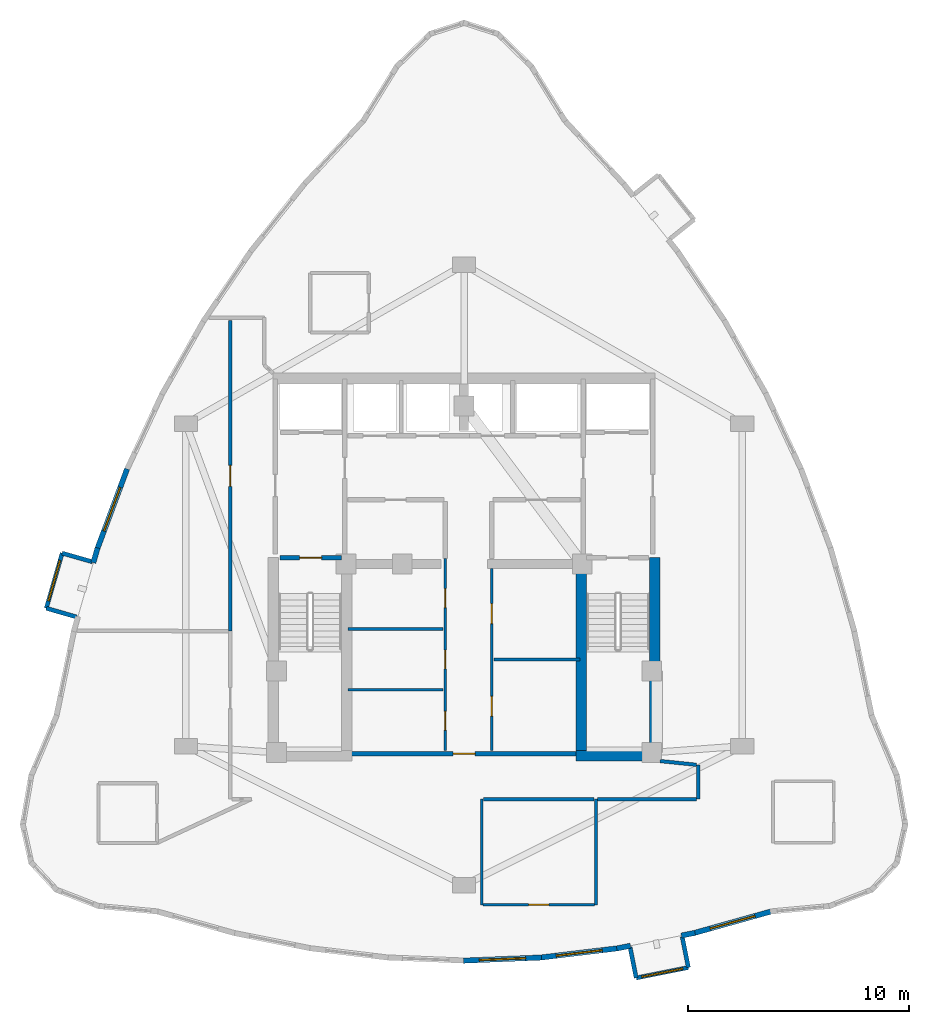
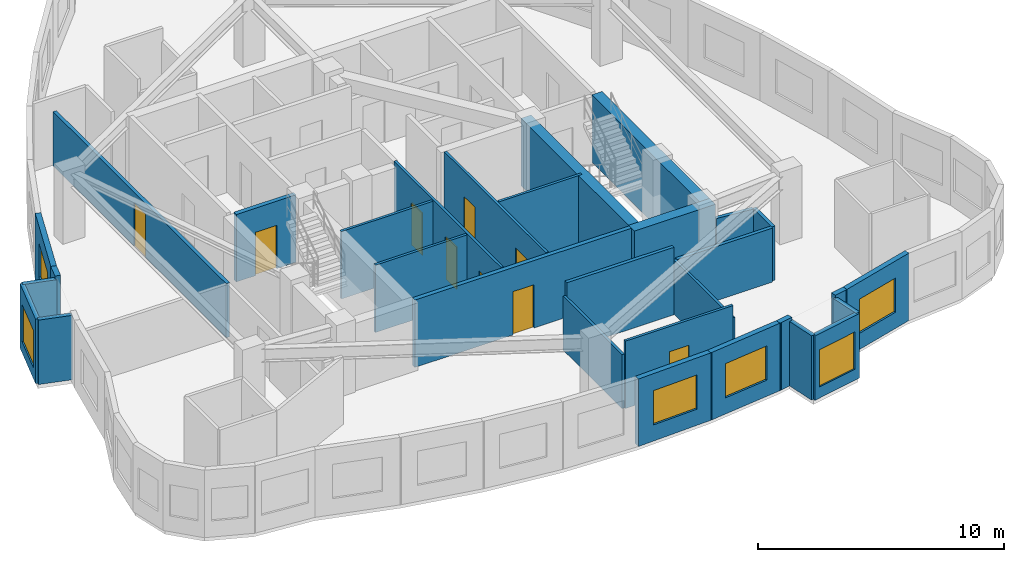
# One storey, part 6 of 10: 31 walls, 9 doors, 6 windows, 15 openings.
"""IFC4 building model written with IfcOpenShell, lengths in metres."""

from ifc_helpers import new_model, si_unit, direction, frame, frame_2d, origin, place, context, subcontext, project, spatial, rectangle, extrude, material, layer, layer_set, type_object, element, fill, save


model = new_model("IFC4")

# Units and contexts
model_context = context("Model", 3, precision=1e-05, world=origin(), true_north=direction((0.0, 1.0)))
body_context = subcontext(model_context, "Body", "Model", "MODEL_VIEW")
ifc_project = project(units=[si_unit("LENGTHUNIT", "METRE"), si_unit("AREAUNIT", "SQUARE_METRE"), si_unit("VOLUMEUNIT", "CUBIC_METRE"), si_unit("PLANEANGLEUNIT", "RADIAN"), si_unit("MASSUNIT", "GRAM", prefix="KILO")], contexts=[model_context])

# Site, building, storey
site_placement = place(None, origin())
site = spatial("IfcSite", under=ifc_project, at=site_placement, CompositionType="ELEMENT")
building_placement = place(site_placement, origin())
building = spatial("IfcBuilding", under=site, at=building_placement, Name="Miruveldt Soraemaru", CompositionType="ELEMENT")
storey_placement = place(building_placement, frame((0.0, 0.0, 226.800048828125)))
storey = spatial("IfcBuildingStorey", under=building, at=storey_placement, Name="L62", CompositionType="ELEMENT", Elevation=226.800048828125)

# Walls
ifc_material_1 = material(Name="White powder-coated aluminium EN AW-6060 T6", Category="aluminium")
ifc_layer_1 = layer(ifc_material_1, 0.18994140625, Name="White powder-coated aluminium EN AW-6060 T6", Category="aluminium")
ifc_layer_set_1 = layer_set([ifc_layer_1], Name="White powder-coated aluminium EN AW-6060 T6")
wall_type_1 = type_object("IfcWallType", Name="WALL-BAY-ALU190", PredefinedType="SOLIDWALL", material=ifc_layer_set_1)
wall_1_placement = place(storey_placement, frame((27.161865234375, 44.146728515625, 0.0), z_axis=(0.0, 0.0, 1.0), x_axis=(-0.961439844578, 0.275015318223, 0.0)))
element("IfcWall", 1, at=wall_1_placement, inside=storey, type_object=wall_type_1, Name="L62 Bay Window Side Cheek 1L", PredefinedType="SOLIDWALL", context=body_context, shape_type="SweptSolid", body=[
    extrude(rectangle(XDim=1.4248046875, YDim=0.18994140625, at=frame_2d((0.71240234375, 0.0))), origin(), (0.0, 0.0, 1.0), 3.195068359375),
])
wall_2_placement = place(storey_placement, frame((25.076904296875, 42.038818359375, 0.0), z_axis=(0.0, 0.0, 1.0), x_axis=(0.961452801096, -0.274970018845, 0.0)))
element("IfcWall", 2, at=wall_2_placement, inside=storey, type_object=wall_type_1, Name="L62 Bay Window Side Cheek 1R", PredefinedType="SOLIDWALL", context=body_context, shape_type="SweptSolid", body=[
    extrude(rectangle(XDim=1.425048828125, YDim=0.18994140625, at=frame_2d((0.71240234375, 0.0))), origin(), (0.0, 0.0, 1.0), 3.195068359375),
])

# Wall, opening, window
wall_3_placement = place(storey_placement, frame((25.7919921875, 44.53857421875, 0.0), z_axis=(0.0, 0.0, 1.0), x_axis=(-0.275031158597, -0.961435313373, 0.0)))
wall_3 = element("IfcWall", 3, at=wall_3_placement, inside=storey, type_object=wall_type_1, Name="L62 Bay Window Front Frame 1", PredefinedType="SOLIDWALL", context=body_context, shape_type="SweptSolid", body=[
    extrude(rectangle(XDim=2.60009765625, YDim=0.18994140625, at=frame_2d((1.300048828125, 0.0))), origin(), (0.0, 0.0, 1.0), 3.195068359375),
])
opening_1_placement = place(wall_3_placement, frame((0.35009765625, 0.0, 0.550048828125)))
opening_1 = element("IfcOpeningElement", 4, at=opening_1_placement, cuts=wall_3, Name="Opening WN-6", PredefinedType="OPENING", context=body_context, shape_type="SweptSolid", body=[
    extrude(rectangle(XDim=1.89990234375, YDim=1.85009765625, at=frame_2d((0.949951171875, 0.925048828125))), frame((0.0, 0.10498046875, 0.0), z_axis=(0.0, -1.0, 0.0), x_axis=(1.0, 0.0, 0.0)), (0.0, 0.0, 1.0), 0.2099609375),
])
ifc_material_2 = material(Name="Triple low-e insulated glazing", Category="glass")
window_type_1 = type_object("IfcWindowType", Name="WIN-BAYW-1900x1850", PartitioningType="SINGLE_PANEL", PredefinedType="WINDOW", material=ifc_material_2)
window_1_placement = place(opening_1_placement, origin())
window_1 = element("IfcWindow", 5, at=window_1_placement, inside=storey, type_object=window_type_1, Name="L62 Projecting Bay Window 1", OverallHeight=1.85009765625, OverallWidth=1.89990234375, PartitioningType="SINGLE_PANEL", PredefinedType="WINDOW", context=body_context, shape_type="SweptSolid", body=[
    extrude(rectangle(XDim=1.89990234375, YDim=1.85009765625, at=frame_2d((0.949951171875, 0.925048828125))), frame((0.0, 0.030029296875, 0.0), z_axis=(0.0, -1.0, 0.0), x_axis=(1.0, 0.0, 0.0)), (0.0, 0.0, 1.0), 0.06005859375),
])
fill(opening_1, window_1)

# Walls
for number, where, z_axis, x_axis, name in (
    (6, (51.5166015625, 26.693359375, 0.0), (0.0, 0.0, 1.0), (0.196149079112, -0.980574086321, 0.0), "L62 Bay Window Side Cheek 2L"),
    (7, (54.159423828125, 25.7685546875, 0.0), (0.0, 0.0, 1.0), (-0.196149079112, 0.980574086321, 0.0), "L62 Bay Window Side Cheek 2R"),
):
    element("IfcWall", number, at=place(storey_placement, frame(where, z_axis=z_axis, x_axis=x_axis)), inside=storey, type_object=wall_type_1, Name=name, PredefinedType="SOLIDWALL", context=body_context, shape_type="SweptSolid", body=[
        extrude(rectangle(XDim=1.425048828125, YDim=0.18994140625, at=frame_2d((0.71240234375, 0.0))), origin(), (0.0, 0.0, 1.0), 3.195068359375),
    ])

# Wall, opening, window
wall_4_placement = place(storey_placement, frame((51.796142578125, 25.2958984375, 0.0), z_axis=(0.0, 0.0, 1.0), x_axis=(0.980580675691, 0.196116135138, 0.0)))
wall_4 = element("IfcWall", 8, at=wall_4_placement, inside=storey, type_object=wall_type_1, Name="L62 Bay Window Front Frame 2", PredefinedType="SOLIDWALL", context=body_context, shape_type="SweptSolid", body=[
    extrude(rectangle(XDim=2.41015625, YDim=0.18994140625, at=frame_2d((1.205078125, 0.0))), origin(), (0.0, 0.0, 1.0), 3.195068359375),
])
opening_2_placement = place(wall_4_placement, frame((0.2548828125, 0.0, 0.550048828125)))
opening_2 = element("IfcOpeningElement", 9, at=opening_2_placement, cuts=wall_4, Name="Opening WN-6", PredefinedType="OPENING", context=body_context, shape_type="SweptSolid", body=[
    extrude(rectangle(XDim=1.89990234375, YDim=1.85009765625, at=frame_2d((0.949951171875, 0.925048828125))), frame((0.0, 0.10498046875, 0.0), z_axis=(0.0, -1.0, 0.0), x_axis=(1.0, 0.0, 0.0)), (0.0, 0.0, 1.0), 0.2099609375),
])
window_2_placement = place(opening_2_placement, origin())
window_2 = element("IfcWindow", 10, at=window_2_placement, inside=storey, type_object=window_type_1, Name="L62 Projecting Bay Window 2", OverallHeight=1.85009765625, OverallWidth=1.89990234375, PartitioningType="SINGLE_PANEL", PredefinedType="WINDOW", context=body_context, shape_type="SweptSolid", body=[
    extrude(rectangle(XDim=1.89990234375, YDim=1.85009765625, at=frame_2d((0.949951171875, 0.925048828125))), frame((0.0, 0.030029296875, 0.0), z_axis=(0.0, -1.0, 0.0), x_axis=(1.0, 0.0, 0.0)), (0.0, 0.0, 1.0), 0.06005859375),
])
fill(opening_2, window_2)

# Walls
ifc_material_3 = material(Name="Concrete C60/75 (60 MPa)", Category="concrete")
ifc_layer_2 = layer(ifc_material_3, 0.47998046875, Name="Concrete C60/75 (60 MPa)", Category="concrete")
ifc_layer_set_2 = layer_set([ifc_layer_2], Name="Concrete C60/75 (60 MPa)")
wall_type_2 = type_object("IfcWallType", Name="WALL-CW-480", PredefinedType="SHEAR", material=ifc_layer_set_2)
wall_5_placement = place(storey_placement, frame((49.070068359375, 35.360107421875, 0.0), z_axis=(0.0, 0.0, 1.0), x_axis=(1.0, 0.0, 0.0)))
element("IfcWall", 11, at=wall_5_placement, inside=storey, type_object=wall_type_2, Name="L62 Central Core Shear Wall S2", PredefinedType="SHEAR", context=body_context, shape_type="SweptSolid", body=[
    extrude(rectangle(XDim=3.809814453125, YDim=0.47998046875, at=frame_2d((1.90478515625, 0.0))), origin(), (0.0, 0.0, 1.0), 3.344970703125),
])
wall_6_placement = place(storey_placement, frame((52.639892578125, 35.1201171875, 0.0), z_axis=(0.0, 0.0, 1.0), x_axis=(0.0, 1.0, 0.0)))
element("IfcWall", 12, at=wall_6_placement, inside=storey, type_object=wall_type_2, Name="L62 Central Core Shear Wall E1", PredefinedType="SHEAR", context=body_context, shape_type="SweptSolid", body=[
    extrude(rectangle(XDim=9.22998046875, YDim=0.47998046875, at=frame_2d((4.614990234375, 0.0))), origin(), (0.0, 0.0, 1.0), 3.344970703125),
])
wall_7_placement = place(storey_placement, frame((49.31005859375, 35.39990234375, 0.0), z_axis=(0.0, 0.0, 1.0), x_axis=(0.0, 1.0, 0.0)))
element("IfcWall", 13, at=wall_7_placement, inside=storey, type_object=wall_type_2, Name="L62 Central Core Shear Wall SE-INT", PredefinedType="SHEAR", context=body_context, shape_type="SweptSolid", body=[
    extrude(rectangle(XDim=8.9501953125, YDim=0.47998046875, at=frame_2d((4.47509765625, 0.0))), origin(), (0.0, 0.0, 1.0), 3.344970703125),
])

# Wall, opening, window
ifc_material_4 = material(Name="Precast concrete C45/55 (45 MPa)", Category="concrete")
ifc_layer_3 = layer(ifc_material_4, 0.239990234375, Name="Precast concrete C45/55 (45 MPa)", Category="concrete")
ifc_layer_set_3 = layer_set([ifc_layer_3], Name="Precast concrete C45/55 (45 MPa)")
wall_type_3 = type_object("IfcWallType", Name="WALL-EXT-PC240", PredefinedType="SOLIDWALL", material=ifc_layer_set_3)
wall_8_placement = place(storey_placement, frame((28.734130859375, 48.352783203125, 0.0), z_axis=(0.0, 0.0, 1.0), x_axis=(-0.349010667613, -0.937118751222, 0.0)))
wall_8 = element("IfcWall", 14, at=wall_8_placement, inside=storey, type_object=wall_type_3, Name="L62 Precast Concrete Facade Wall 12", PredefinedType="SOLIDWALL", context=body_context, shape_type="SweptSolid", body=[
    extrude(rectangle(XDim=3.889404296875, YDim=0.239990234375, at=frame_2d((1.94482421875, 0.0))), origin(), (0.0, 0.0, 1.0), 3.344970703125),
])
opening_3_placement = place(wall_8_placement, frame((0.89501953125, 0.0, 0.800048828125)))
opening_3 = element("IfcOpeningElement", 15, at=opening_3_placement, cuts=wall_8, Name="Opening WN-1", PredefinedType="OPENING", context=body_context, shape_type="SweptSolid", body=[
    extrude(rectangle(XDim=2.10009765625, YDim=1.699951171875, at=frame_2d((1.050048828125, 0.85009765625))), frame((0.0, 0.1298828125, 0.0), z_axis=(0.0, -1.0, 0.0), x_axis=(1.0, 0.0, 0.0)), (0.0, 0.0, 1.0), 0.260009765625),
])
window_type_2 = type_object("IfcWindowType", Name="WIN-PUNCH-2100x1700", PartitioningType="SINGLE_PANEL", PredefinedType="WINDOW", material=ifc_material_2)
window_3_placement = place(opening_3_placement, origin())
window_3 = element("IfcWindow", 16, at=window_3_placement, inside=storey, type_object=window_type_2, Name="L62 Punched Triple-Glazed Window 12.1", OverallHeight=1.699951171875, OverallWidth=2.10009765625, PartitioningType="SINGLE_PANEL", PredefinedType="WINDOW", context=body_context, shape_type="SweptSolid", body=[
    extrude(rectangle(XDim=2.10009765625, YDim=1.699951171875, at=frame_2d((1.050048828125, 0.85009765625))), frame((0.0, 0.030029296875, 0.0), z_axis=(0.0, -1.0, 0.0), x_axis=(1.0, 0.0, 0.0)), (0.0, 0.0, 1.0), 0.06005859375),
])
fill(opening_3, window_3)

# Wall
wall_9_placement = place(storey_placement, frame((27.398681640625, 44.7744140625, 0.0), z_axis=(0.0, 0.0, 1.0), x_axis=(-0.275044220603, -0.961431576719, 0.0)))
element("IfcWall", 17, at=wall_9_placement, inside=storey, type_object=wall_type_3, Name="L62 Precast Pier Wall 13A", PredefinedType="SOLIDWALL", context=body_context, shape_type="SweptSolid", body=[
    extrude(rectangle(XDim=0.698486328125, YDim=0.239990234375, at=frame_2d((0.34912109375, 0.0))), origin(), (0.0, 0.0, 1.0), 3.344970703125),
])

# Wall, opening, window
wall_10_placement = place(storey_placement, frame((43.965087890625, 26.07861328125, 0.0), z_axis=(0.0, 0.0, 1.0), x_axis=(0.999200408983, 0.03998177945, 0.0)))
wall_10 = element("IfcWall", 18, at=wall_10_placement, inside=storey, type_object=wall_type_3, Name="L62 Precast Concrete Facade Wall 25", PredefinedType="SOLIDWALL", context=body_context, shape_type="SweptSolid", body=[
    extrude(rectangle(XDim=3.5478515625, YDim=0.239990234375, at=frame_2d((1.77392578125, 0.0))), origin(), (0.0, 0.0, 1.0), 3.344970703125),
])
opening_4_placement = place(wall_10_placement, frame((0.72412109375, 0.0, 0.800048828125)))
opening_4 = element("IfcOpeningElement", 19, at=opening_4_placement, cuts=wall_10, Name="Opening WN-1", PredefinedType="OPENING", context=body_context, shape_type="SweptSolid", body=[
    extrude(rectangle(XDim=2.10009765625, YDim=1.699951171875, at=frame_2d((1.050048828125, 0.85009765625))), frame((0.0, 0.1298828125, 0.0), z_axis=(0.0, -1.0, 0.0), x_axis=(1.0, 0.0, 0.0)), (0.0, 0.0, 1.0), 0.260009765625),
])
window_4_placement = place(opening_4_placement, origin())
window_4 = element("IfcWindow", 20, at=window_4_placement, inside=storey, type_object=window_type_2, Name="L62 Punched Triple-Glazed Window 25.1", OverallHeight=1.699951171875, OverallWidth=2.10009765625, PartitioningType="SINGLE_PANEL", PredefinedType="WINDOW", context=body_context, shape_type="SweptSolid", body=[
    extrude(rectangle(XDim=2.10009765625, YDim=1.699951171875, at=frame_2d((1.050048828125, 0.85009765625))), frame((0.0, 0.030029296875, 0.0), z_axis=(0.0, -1.0, 0.0), x_axis=(1.0, 0.0, 0.0)), (0.0, 0.0, 1.0), 0.06005859375),
])
fill(opening_4, window_4)

wall_11_placement = place(storey_placement, frame((47.440185546875, 26.21484375, 0.0), z_axis=(0.0, 0.0, 1.0), x_axis=(0.99287910342, 0.119126344663, 0.0)))
wall_11 = element("IfcWall", 21, at=wall_11_placement, inside=storey, type_object=wall_type_3, Name="L62 Precast Concrete Facade Wall 26", PredefinedType="SOLIDWALL", context=body_context, shape_type="SweptSolid", body=[
    extrude(rectangle(XDim=3.570068359375, YDim=0.239990234375, at=frame_2d((1.78515625, 0.0))), origin(), (0.0, 0.0, 1.0), 3.344970703125),
])
opening_5_placement = place(wall_11_placement, frame((0.735107421875, 0.0, 0.800048828125)))
opening_5 = element("IfcOpeningElement", 22, at=opening_5_placement, cuts=wall_11, Name="Opening WN-1", PredefinedType="OPENING", context=body_context, shape_type="SweptSolid", body=[
    extrude(rectangle(XDim=2.10009765625, YDim=1.699951171875, at=frame_2d((1.050048828125, 0.85009765625))), frame((0.0, 0.1298828125, 0.0), z_axis=(0.0, -1.0, 0.0), x_axis=(1.0, 0.0, 0.0)), (0.0, 0.0, 1.0), 0.260009765625),
])
window_5_placement = place(opening_5_placement, origin())
window_5 = element("IfcWindow", 23, at=window_5_placement, inside=storey, type_object=window_type_2, Name="L62 Punched Triple-Glazed Window 26.1", OverallHeight=1.699951171875, OverallWidth=2.10009765625, PartitioningType="SINGLE_PANEL", PredefinedType="WINDOW", context=body_context, shape_type="SweptSolid", body=[
    extrude(rectangle(XDim=2.10009765625, YDim=1.699951171875, at=frame_2d((1.050048828125, 0.85009765625))), frame((0.0, 0.030029296875, 0.0), z_axis=(0.0, -1.0, 0.0), x_axis=(1.0, 0.0, 0.0)), (0.0, 0.0, 1.0), 0.06005859375),
])
fill(opening_5, window_5)

# Walls
for number, where, z_axis, x_axis, name in (
    (24, (50.915771484375, 26.629150390625, 0.0), (0.0, 0.0, 1.0), (0.980550945364, 0.196264728229, 0.0), "L62 Precast Pier Wall 27A"),
    (25, (53.83984375, 27.2138671875, 0.0), (0.0, 0.0, 1.0), (0.980550945364, 0.196264728229, 0.0), "L62 Precast Pier Wall 27B"),
):
    element("IfcWall", number, at=place(storey_placement, frame(where, z_axis=z_axis, x_axis=x_axis)), inside=storey, type_object=wall_type_3, Name=name, PredefinedType="SOLIDWALL", context=body_context, shape_type="SweptSolid", body=[
        extrude(rectangle(XDim=0.6318359375, YDim=0.239990234375, at=frame_2d((0.31591796875, 0.0))), origin(), (0.0, 0.0, 1.0), 3.344970703125),
    ])

# Wall, opening, window
wall_12_placement = place(storey_placement, frame((54.391357421875, 27.321533203125, 0.0), z_axis=(0.0, 0.0, 1.0), x_axis=(0.962960573366, 0.269642233603, 0.0)))
wall_12 = element("IfcWall", 26, at=wall_12_placement, inside=storey, type_object=wall_type_3, Name="L62 Precast Concrete Facade Wall 28", PredefinedType="SOLIDWALL", context=body_context, shape_type="SweptSolid", body=[
    extrude(rectangle(XDim=3.6787109375, YDim=0.239990234375, at=frame_2d((1.83935546875, 0.0))), origin(), (0.0, 0.0, 1.0), 3.344970703125),
])
opening_6_placement = place(wall_12_placement, frame((0.7900390625, 0.0, 0.800048828125)))
opening_6 = element("IfcOpeningElement", 27, at=opening_6_placement, cuts=wall_12, Name="Opening WN-1", PredefinedType="OPENING", context=body_context, shape_type="SweptSolid", body=[
    extrude(rectangle(XDim=2.10009765625, YDim=1.699951171875, at=frame_2d((1.050048828125, 0.85009765625))), frame((0.0, 0.1298828125, 0.0), z_axis=(0.0, -1.0, 0.0), x_axis=(1.0, 0.0, 0.0)), (0.0, 0.0, 1.0), 0.260009765625),
])
window_6_placement = place(opening_6_placement, origin())
window_6 = element("IfcWindow", 28, at=window_6_placement, inside=storey, type_object=window_type_2, Name="L62 Punched Triple-Glazed Window 28.1", OverallHeight=1.699951171875, OverallWidth=2.10009765625, PartitioningType="SINGLE_PANEL", PredefinedType="WINDOW", context=body_context, shape_type="SweptSolid", body=[
    extrude(rectangle(XDim=2.10009765625, YDim=1.699951171875, at=frame_2d((1.050048828125, 0.85009765625))), frame((0.0, 0.030029296875, 0.0), z_axis=(0.0, -1.0, 0.0), x_axis=(1.0, 0.0, 0.0)), (0.0, 0.0, 1.0), 0.06005859375),
])
fill(opening_6, window_6)

# Wall, openings, doors
ifc_material_5 = material(Name="Gypsum plasterboard lining", Category="gypsum")
ifc_layer_4 = layer(ifc_material_5, 0.1201171875, Name="Gypsum plasterboard lining", Category="gypsum")
ifc_layer_set_4 = layer_set([ifc_layer_4], Name="Gypsum plasterboard lining")
wall_type_4 = type_object("IfcWallType", Name="WALL-INT-P120", PredefinedType="PARTITIONING", material=ifc_layer_set_4)
wall_13_placement = place(storey_placement, frame((43.14990234375, 35.60009765625, 0.0), z_axis=(0.0, 0.0, 1.0), x_axis=(0.0, 1.0, 0.0)))
wall_13 = element("IfcWall", 29, at=wall_13_placement, inside=storey, type_object=wall_type_4, Name="L62 Core Compartment Wall SP-WL", PredefinedType="PARTITIONING", context=body_context, shape_type="SweptSolid", body=[
    extrude(rectangle(XDim=8.699951171875, YDim=0.1201171875, at=frame_2d((4.35009765625, 0.0))), origin(), (0.0, 0.0, 1.0), 3.344970703125),
])
opening_7_placement = place(wall_13_placement, frame((0.925048828125, 0.0, 0.0)))
opening_7 = element("IfcOpeningElement", 30, at=opening_7_placement, cuts=wall_13, Name="Opening FD3", PredefinedType="OPENING", context=body_context, shape_type="SweptSolid", body=[
    extrude(rectangle(XDim=0.85009765625, YDim=2.10009765625, at=frame_2d((0.425048828125, 1.050048828125))), frame((0.0, 0.070068359375, 0.0), z_axis=(0.0, -1.0, 0.0), x_axis=(1.0, 0.0, 0.0)), (0.0, 0.0, 1.0), 0.14013671875),
])
opening_8_placement = place(wall_13_placement, frame((3.695068359375, 0.0, 0.0)))
opening_8 = element("IfcOpeningElement", 31, at=opening_8_placement, cuts=wall_13, Name="Opening FD3", PredefinedType="OPENING", context=body_context, shape_type="SweptSolid", body=[
    extrude(rectangle(XDim=0.85009765625, YDim=2.10009765625, at=frame_2d((0.425048828125, 1.050048828125))), frame((0.0, 0.070068359375, 0.0), z_axis=(0.0, -1.0, 0.0), x_axis=(1.0, 0.0, 0.0)), (0.0, 0.0, 1.0), 0.14013671875),
])
opening_9_placement = place(wall_13_placement, frame((6.47509765625, 0.0, 0.0)))
opening_9 = element("IfcOpeningElement", 32, at=opening_9_placement, cuts=wall_13, Name="Opening FD3", PredefinedType="OPENING", context=body_context, shape_type="SweptSolid", body=[
    extrude(rectangle(XDim=0.85009765625, YDim=2.10009765625, at=frame_2d((0.425048828125, 1.050048828125))), frame((0.0, 0.070068359375, 0.0), z_axis=(0.0, -1.0, 0.0), x_axis=(1.0, 0.0, 0.0)), (0.0, 0.0, 1.0), 0.14013671875),
])
ifc_material_6 = material(Name="Anodised aluminium EN AW-6063 T6", Category="aluminium")
door_type_1 = type_object("IfcDoorType", Name="DOOR-FD3-850", OperationType="NOTDEFINED", PredefinedType="DOOR", material=ifc_material_6)
door_1_placement = place(opening_7_placement, origin())
door_1 = element("IfcDoor", 33, at=door_1_placement, inside=storey, type_object=door_type_1, Name="L62 Fire Door", OperationType="SINGLE_SWING_LEFT", OverallHeight=2.10009765625, OverallWidth=0.85009765625, PredefinedType="DOOR", context=body_context, shape_type="SweptSolid", body=[
    extrude(rectangle(XDim=0.85009765625, YDim=2.10009765625, at=frame_2d((0.425048828125, 1.050048828125))), frame((0.0, 0.02490234375, 0.0), z_axis=(0.0, -1.0, 0.0), x_axis=(1.0, 0.0, 0.0)), (0.0, 0.0, 1.0), 0.050048828125),
])
fill(opening_7, door_1)
door_2_placement = place(opening_8_placement, origin())
door_2 = element("IfcDoor", 34, at=door_2_placement, inside=storey, type_object=door_type_1, Name="L62 Fire Door", OperationType="SINGLE_SWING_LEFT", OverallHeight=2.10009765625, OverallWidth=0.85009765625, PredefinedType="DOOR", context=body_context, shape_type="SweptSolid", body=[
    extrude(rectangle(XDim=0.85009765625, YDim=2.10009765625, at=frame_2d((0.425048828125, 1.050048828125))), frame((0.0, 0.02490234375, 0.0), z_axis=(0.0, -1.0, 0.0), x_axis=(1.0, 0.0, 0.0)), (0.0, 0.0, 1.0), 0.050048828125),
])
fill(opening_8, door_2)
door_3_placement = place(opening_9_placement, origin())
door_3 = element("IfcDoor", 35, at=door_3_placement, inside=storey, type_object=door_type_1, Name="L62 Fire Door", OperationType="SINGLE_SWING_LEFT", OverallHeight=2.10009765625, OverallWidth=0.85009765625, PredefinedType="DOOR", context=body_context, shape_type="SweptSolid", body=[
    extrude(rectangle(XDim=0.85009765625, YDim=2.10009765625, at=frame_2d((0.425048828125, 1.050048828125))), frame((0.0, 0.02490234375, 0.0), z_axis=(0.0, -1.0, 0.0), x_axis=(1.0, 0.0, 0.0)), (0.0, 0.0, 1.0), 0.050048828125),
])
fill(opening_9, door_3)

wall_14_placement = place(storey_placement, frame((45.25, 35.60009765625, 0.0), z_axis=(0.0, 0.0, 1.0), x_axis=(0.0, 1.0, 0.0)))
wall_14 = element("IfcWall", 36, at=wall_14_placement, inside=storey, type_object=wall_type_4, Name="L62 Core Compartment Wall SP-EL", PredefinedType="PARTITIONING", context=body_context, shape_type="SweptSolid", body=[
    extrude(rectangle(XDim=8.25, YDim=0.1201171875, at=frame_2d((4.125, 0.0))), origin(), (0.0, 0.0, 1.0), 3.344970703125),
])
opening_10_placement = place(wall_14_placement, frame((1.550048828125, 0.0, 0.0)))
opening_10 = element("IfcOpeningElement", 37, at=opening_10_placement, cuts=wall_14, Name="Opening D3", PredefinedType="OPENING", context=body_context, shape_type="SweptSolid", body=[
    extrude(rectangle(XDim=0.89990234375, YDim=2.10009765625, at=frame_2d((0.449951171875, 1.050048828125))), frame((0.0, 0.070068359375, 0.0), z_axis=(0.0, -1.0, 0.0), x_axis=(1.0, 0.0, 0.0)), (0.0, 0.0, 1.0), 0.14013671875),
])
opening_11_placement = place(wall_14_placement, frame((5.75, 0.0, 0.0)))
opening_11 = element("IfcOpeningElement", 38, at=opening_11_placement, cuts=wall_14, Name="Opening D3", PredefinedType="OPENING", context=body_context, shape_type="SweptSolid", body=[
    extrude(rectangle(XDim=0.89990234375, YDim=2.10009765625, at=frame_2d((0.449951171875, 1.050048828125))), frame((0.0, 0.070068359375, 0.0), z_axis=(0.0, -1.0, 0.0), x_axis=(1.0, 0.0, 0.0)), (0.0, 0.0, 1.0), 0.14013671875),
])
door_type_2 = type_object("IfcDoorType", Name="DOOR-INT-900", OperationType="NOTDEFINED", PredefinedType="DOOR", material=ifc_material_6)
door_4_placement = place(opening_10_placement, origin())
door_4 = element("IfcDoor", 39, at=door_4_placement, inside=storey, type_object=door_type_2, Name="L62 Fire Door", OperationType="SINGLE_SWING_LEFT", OverallHeight=2.10009765625, OverallWidth=0.89990234375, PredefinedType="DOOR", context=body_context, shape_type="SweptSolid", body=[
    extrude(rectangle(XDim=0.89990234375, YDim=2.10009765625, at=frame_2d((0.449951171875, 1.050048828125))), frame((0.0, 0.02490234375, 0.0), z_axis=(0.0, -1.0, 0.0), x_axis=(1.0, 0.0, 0.0)), (0.0, 0.0, 1.0), 0.050048828125),
])
fill(opening_10, door_4)
door_5_placement = place(opening_11_placement, origin())
door_5 = element("IfcDoor", 40, at=door_5_placement, inside=storey, type_object=door_type_2, Name="L62 Fire Door", OperationType="SINGLE_SWING_LEFT", OverallHeight=2.10009765625, OverallWidth=0.89990234375, PredefinedType="DOOR", context=body_context, shape_type="SweptSolid", body=[
    extrude(rectangle(XDim=0.89990234375, YDim=2.10009765625, at=frame_2d((0.449951171875, 1.050048828125))), frame((0.0, 0.02490234375, 0.0), z_axis=(0.0, -1.0, 0.0), x_axis=(1.0, 0.0, 0.0)), (0.0, 0.0, 1.0), 0.050048828125),
])
fill(opening_11, door_5)

# Wall, opening, door
wall_15_placement = place(storey_placement, frame((49.9130859375, 28.610107421875, 0.0), z_axis=(0.0, 0.0, 1.0), x_axis=(-1.0, 0.0, 0.0)))
wall_15 = element("IfcWall", 41, at=wall_15_placement, inside=storey, type_object=wall_type_4, Name="L62 Partition Wall 22", PredefinedType="PARTITIONING", context=body_context, shape_type="SweptSolid", body=[
    extrude(rectangle(XDim=5.05712890625, YDim=0.1201171875, at=frame_2d((2.528564453125, 0.0))), origin(), (0.0, 0.0, 1.0), 3.344970703125),
])
opening_12_placement = place(wall_15_placement, frame((2.068115234375, 0.0, 0.0)))
opening_12 = element("IfcOpeningElement", 42, at=opening_12_placement, cuts=wall_15, Name="Opening D3A", PredefinedType="OPENING", context=body_context, shape_type="SweptSolid", body=[
    extrude(rectangle(XDim=0.919921875, YDim=2.10009765625, at=frame_2d((0.4599609375, 1.050048828125))), frame((0.0, 0.070068359375, 0.0), z_axis=(0.0, -1.0, 0.0), x_axis=(1.0, 0.0, 0.0)), (0.0, 0.0, 1.0), 0.14013671875),
])
door_type_3 = type_object("IfcDoorType", Name="DOOR-INT-920", OperationType="NOTDEFINED", PredefinedType="DOOR", material=ifc_material_6)
door_6_placement = place(opening_12_placement, origin())
door_6 = element("IfcDoor", 43, at=door_6_placement, inside=storey, type_object=door_type_3, Name="L62 Unit CL02 EXT Door", OperationType="SINGLE_SWING_RIGHT", OverallHeight=2.10009765625, OverallWidth=0.919921875, PredefinedType="DOOR", context=body_context, shape_type="SweptSolid", body=[
    extrude(rectangle(XDim=0.919921875, YDim=2.10009765625, at=frame_2d((0.4599609375, 1.050048828125))), frame((0.0, 0.02490234375, 0.0), z_axis=(0.0, -1.0, 0.0), x_axis=(1.0, 0.0, 0.0)), (0.0, 0.0, 1.0), 0.050048828125),
])
fill(opening_12, door_6)

# Walls
for number, where, z_axis, x_axis, name in (
    (44, (49.972900390625, 33.39990234375, 0.0), (0.0, 0.0, 1.0), (0.0, -1.0, 0.0), "L62 Partition Wall 21"),
    (45, (44.7958984375, 28.610107421875, 0.0), (0.0, 0.0, 1.0), (0.0, 1.0, 0.0), "L62 Partition Wall 26"),
):
    element("IfcWall", number, at=place(storey_placement, frame(where, z_axis=z_axis, x_axis=x_axis)), inside=storey, type_object=wall_type_4, Name=name, PredefinedType="PARTITIONING", context=body_context, shape_type="SweptSolid", body=[
        extrude(rectangle(XDim=4.789794921875, YDim=0.1201171875, at=frame_2d((2.39501953125, 0.0))), origin(), (0.0, 0.0, 1.0), 2.682861328125),
    ])
for number, where, z_axis, x_axis, name in (
    (46, (38.75, 38.35009765625, 0.0), (0.0, 0.0, 1.0), (1.0, 0.0, 0.0), "L62 Core Compartment Wall RL-W3A"),
    (47, (38.75, 41.10009765625, 0.0), (0.0, 0.0, 1.0), (1.0, 0.0, 0.0), "L62 Core Compartment Wall RL-W3B"),
):
    element("IfcWall", number, at=place(storey_placement, frame(where, z_axis=z_axis, x_axis=x_axis)), inside=storey, type_object=wall_type_4, Name=name, PredefinedType="PARTITIONING", context=body_context, shape_type="SweptSolid", body=[
        extrude(rectangle(XDim=4.300048828125, YDim=0.1201171875, at=frame_2d((2.14990234375, 0.0))), origin(), (0.0, 0.0, 1.0), 3.344970703125),
    ])
wall_16_placement = place(storey_placement, frame((45.35009765625, 39.719970703125, 0.0), z_axis=(0.0, 0.0, 1.0), x_axis=(1.0, 0.0, 0.0)))
element("IfcWall", 48, at=wall_16_placement, inside=storey, type_object=wall_type_4, Name="L62 Core Compartment Wall RL-E3H", PredefinedType="PARTITIONING", context=body_context, shape_type="SweptSolid", body=[
    extrude(rectangle(XDim=3.89990234375, YDim=0.1201171875, at=frame_2d((1.949951171875, 0.0))), origin(), (0.0, 0.0, 1.0), 3.344970703125),
])

# Wall, opening, door
ifc_material_7 = material(Name="Concrete C40/50 (40 MPa)", Category="concrete")
ifc_layer_5 = layer(ifc_material_7, 0.159912109375, Name="Concrete C40/50 (40 MPa)", Category="concrete")
ifc_layer_set_5 = layer_set([ifc_layer_5], Name="Concrete C40/50 (40 MPa)")
wall_type_5 = type_object("IfcWallType", Name="WALL-INT-RC160", PredefinedType="SOLIDWALL", material=ifc_layer_set_5)
wall_17_placement = place(storey_placement, frame((33.39990234375, 55.076904296875, 0.0), z_axis=(0.0, 0.0, 1.0), x_axis=(0.0, -1.0, 0.0)))
wall_17 = element("IfcWall", 49, at=wall_17_placement, inside=storey, type_object=wall_type_5, Name="L62 Partition Wall 3", PredefinedType="SOLIDWALL", context=body_context, shape_type="SweptSolid", body=[
    extrude(rectangle(XDim=14.072998046875, YDim=0.159912109375, at=frame_2d((7.03662109375, 0.0))), origin(), (0.0, 0.0, 1.0), 2.682861328125),
])
opening_13_placement = place(wall_17_placement, frame((6.56201171875, 0.0, 0.0)))
opening_13 = element("IfcOpeningElement", 50, at=opening_13_placement, cuts=wall_17, Name="Opening FD2", PredefinedType="OPENING", context=body_context, shape_type="SweptSolid", body=[
    extrude(rectangle(XDim=0.949951171875, YDim=2.14990234375, at=frame_2d((0.47509765625, 1.074951171875))), frame((0.0, 0.08984375, 0.0), z_axis=(0.0, -1.0, 0.0), x_axis=(1.0, 0.0, 0.0)), (0.0, 0.0, 1.0), 0.179931640625),
])
door_type_4 = type_object("IfcDoorType", Name="DOOR-FD2-950", OperationType="NOTDEFINED", PredefinedType="DOOR", material=ifc_material_6)
door_7_placement = place(opening_13_placement, origin())
door_7 = element("IfcDoor", 51, at=door_7_placement, inside=storey, type_object=door_type_4, Name="L62 Unit CL01 Entrance Fire Door", OperationType="SINGLE_SWING_LEFT", OverallHeight=2.14990234375, OverallWidth=0.949951171875, PredefinedType="DOOR", context=body_context, shape_type="SweptSolid", body=[
    extrude(rectangle(XDim=0.949951171875, YDim=2.14990234375, at=frame_2d((0.47509765625, 1.074951171875))), frame((0.0, 0.02490234375, 0.0), z_axis=(0.0, -1.0, 0.0), x_axis=(1.0, 0.0, 0.0)), (0.0, 0.0, 1.0), 0.050048828125),
])
fill(opening_13, door_7)

# Walls
wall_18_placement = place(storey_placement, frame((44.8759765625, 33.39990234375, 0.0), z_axis=(0.0, 0.0, 1.0), x_axis=(1.0, 0.0, 0.0)))
element("IfcWall", 52, at=wall_18_placement, inside=storey, type_object=wall_type_5, Name="L62 Partition Wall 10", PredefinedType="SOLIDWALL", context=body_context, shape_type="SweptSolid", body=[
    extrude(rectangle(XDim=5.01708984375, YDim=0.159912109375, at=frame_2d((2.508544921875, 0.0))), origin(), (0.0, 0.0, 1.0), 3.344970703125),
])
wall_19_placement = place(storey_placement, frame((50.052978515625, 33.39990234375, 0.0), z_axis=(0.0, 0.0, 1.0), x_axis=(1.0, 0.0, 0.0)))
element("IfcWall", 53, at=wall_19_placement, inside=storey, type_object=wall_type_5, Name="L62 Partition Wall 7", PredefinedType="SOLIDWALL", context=body_context, shape_type="SweptSolid", body=[
    extrude(rectangle(XDim=4.467041015625, YDim=0.159912109375, at=frame_2d((2.2333984375, 0.0))), origin(), (0.0, 0.0, 1.0), 2.682861328125),
])
wall_20_placement = place(storey_placement, frame((54.52001953125, 34.949951171875, 0.0), z_axis=(0.0, 0.0, 1.0), x_axis=(-0.994660918051, 0.103197180691, 0.0)))
element("IfcWall", 54, at=wall_20_placement, inside=storey, type_object=wall_type_5, Name="L62 Partition Wall 9", PredefinedType="SOLIDWALL", context=body_context, shape_type="SweptSolid", body=[
    extrude(rectangle(XDim=1.64892578125, YDim=0.159912109375, at=frame_2d((0.824462890625, 0.0))), origin(), (0.0, 0.0, 1.0), 2.682861328125),
])
wall_21_placement = place(storey_placement, frame((54.60009765625, 33.39990234375, 0.0), z_axis=(0.0, 0.0, 1.0), x_axis=(0.0, 1.0, 0.0)))
element("IfcWall", 55, at=wall_21_placement, inside=storey, type_object=wall_type_5, Name="L62 Partition Wall 8", PredefinedType="SOLIDWALL", context=body_context, shape_type="SweptSolid", body=[
    extrude(rectangle(XDim=1.550048828125, YDim=0.159912109375, at=frame_2d((0.77490234375, 0.0))), origin(), (0.0, 0.0, 1.0), 2.682861328125),
])

# Wall, opening, door
ifc_layer_6 = layer(ifc_material_7, 0.199951171875, Name="Concrete C40/50 (40 MPa)", Category="concrete")
ifc_layer_set_6 = layer_set([ifc_layer_6], Name="Concrete C40/50 (40 MPa)")
wall_type_6 = type_object("IfcWallType", Name="WALL-INT-RC200", PredefinedType="SOLIDWALL", material=ifc_layer_set_6)
wall_22_placement = place(storey_placement, frame((38.89990234375, 35.449951171875, 0.0), z_axis=(0.0, 0.0, 1.0), x_axis=(1.0, 0.0, 0.0)))
wall_22 = element("IfcWall", 56, at=wall_22_placement, inside=storey, type_object=wall_type_6, Name="L62 Core Compartment Wall CS-S", PredefinedType="SOLIDWALL", context=body_context, shape_type="SweptSolid", body=[
    extrude(rectangle(XDim=10.2001953125, YDim=0.199951171875, at=frame_2d((5.10009765625, 0.0))), origin(), (0.0, 0.0, 1.0), 3.344970703125),
])
opening_14_placement = place(wall_22_placement, frame((4.60009765625, 0.0, 0.0)))
opening_14 = element("IfcOpeningElement", 57, at=opening_14_placement, cuts=wall_22, Name="Opening FD1", PredefinedType="OPENING", context=body_context, shape_type="SweptSolid", body=[
    extrude(rectangle(XDim=1.0, YDim=2.14990234375, at=frame_2d((0.5, 1.074951171875))), frame((0.0, 0.10986328125, 0.0), z_axis=(0.0, -1.0, 0.0), x_axis=(1.0, 0.0, 0.0)), (0.0, 0.0, 1.0), 0.219970703125),
])
door_type_5 = type_object("IfcDoorType", Name="DOOR-FD1-1000", OperationType="NOTDEFINED", PredefinedType="DOOR", material=ifc_material_6)
door_8_placement = place(opening_14_placement, origin())
door_8 = element("IfcDoor", 58, at=door_8_placement, inside=storey, type_object=door_type_5, Name="L62 Core South Lobby Fire Door", OperationType="SINGLE_SWING_LEFT", OverallHeight=2.14990234375, OverallWidth=1.0, PredefinedType="DOOR", context=body_context, shape_type="SweptSolid", body=[
    extrude(rectangle(XDim=1.0, YDim=2.14990234375, at=frame_2d((0.5, 1.074951171875))), frame((0.0, 0.02490234375, 0.0), z_axis=(0.0, -1.0, 0.0), x_axis=(1.0, 0.0, 0.0)), (0.0, 0.0, 1.0), 0.050048828125),
])
fill(opening_14, door_8)

wall_23_placement = place(storey_placement, frame((35.64990234375, 44.320068359375, 0.0), z_axis=(0.0, 0.0, 1.0), x_axis=(1.0, 0.0, 0.0)))
wall_23 = element("IfcWall", 59, at=wall_23_placement, inside=storey, type_object=wall_type_6, Name="L62 Core Compartment Wall ST1-N", PredefinedType="SOLIDWALL", context=body_context, shape_type="SweptSolid", body=[
    extrude(rectangle(XDim=2.800048828125, YDim=0.199951171875, at=frame_2d((1.39990234375, 0.0))), origin(), (0.0, 0.0, 1.0), 3.344970703125),
])
opening_15_placement = place(wall_23_placement, frame((0.89990234375, 0.0, 0.0)))
opening_15 = element("IfcOpeningElement", 60, at=opening_15_placement, cuts=wall_23, Name="Opening FD1", PredefinedType="OPENING", context=body_context, shape_type="SweptSolid", body=[
    extrude(rectangle(XDim=1.0, YDim=2.14990234375, at=frame_2d((0.5, 1.074951171875))), frame((0.0, 0.10986328125, 0.0), z_axis=(0.0, -1.0, 0.0), x_axis=(1.0, 0.0, 0.0)), (0.0, 0.0, 1.0), 0.219970703125),
])
door_9_placement = place(opening_15_placement, frame((1.0, 0.0, 0.0), z_axis=(0.0, 0.0, 1.0), x_axis=(-1.0, 0.0, 0.0)))
door_9 = element("IfcDoor", 61, at=door_9_placement, inside=storey, type_object=door_type_5, Name="L62 Stair ST-1 Fire Door", OperationType="SINGLE_SWING_LEFT", OverallHeight=2.14990234375, OverallWidth=1.0, PredefinedType="DOOR", context=body_context, shape_type="SweptSolid", body=[
    extrude(rectangle(XDim=1.0, YDim=2.14990234375, at=frame_2d((0.5, 1.074951171875))), frame((0.0, 0.02490234375, 0.0), z_axis=(0.0, -1.0, 0.0), x_axis=(1.0, 0.0, 0.0)), (0.0, 0.0, 1.0), 0.050048828125),
])
fill(opening_15, door_9)

save(model, "model.ifc")
